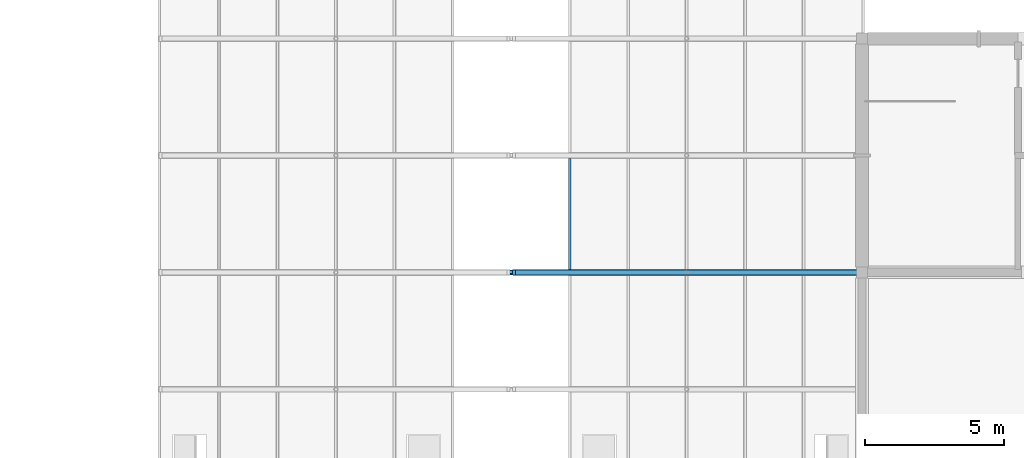
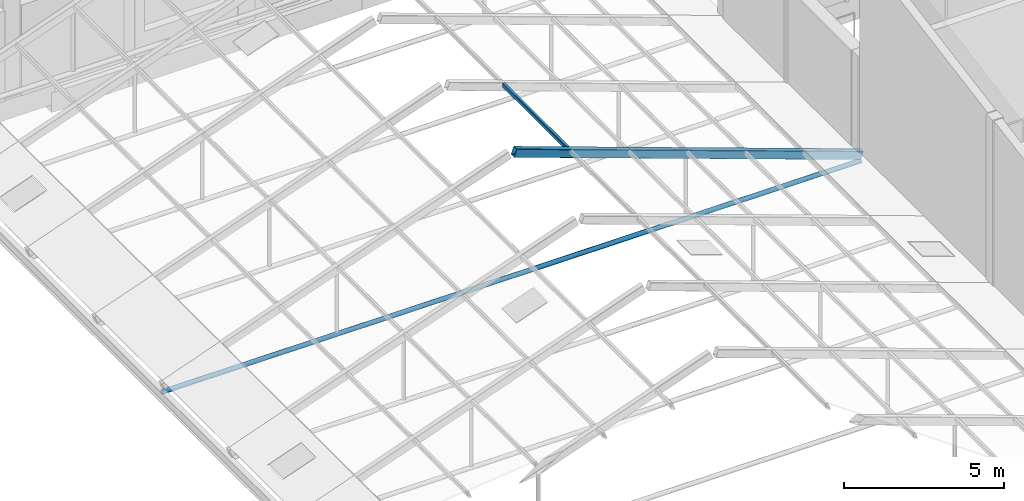
# One storey, part 60 of 116: 3 members.
"""IFC4 building model written with IfcOpenShell, lengths in metres."""

from ifc_helpers import new_model, si_unit, direction, frame, origin, origin_2d, place, context, subcontext, project, spatial, hollow_rectangle, hollow_circle, extrude, material, material_profile, profile_set, type_object, element, save


model = new_model("IFC4")

# Units and contexts
model_context = context("Model", 3, precision=1e-05, world=origin(), true_north=direction((0.0, 1.0)))
body_context = subcontext(model_context, "Body", "Model", "MODEL_VIEW")
ifc_project = project(units=[si_unit("LENGTHUNIT", "METRE"), si_unit("AREAUNIT", "SQUARE_METRE"), si_unit("VOLUMEUNIT", "CUBIC_METRE"), si_unit("PLANEANGLEUNIT", "RADIAN"), si_unit("MASSUNIT", "GRAM", prefix="KILO")], contexts=[model_context])

# Site, building, storey
site_placement = place(None, origin())
site = spatial("IfcSite", under=ifc_project, at=site_placement, CompositionType="ELEMENT")
building_placement = place(site_placement, origin())
building = spatial("IfcBuilding", under=site, at=building_placement, Name="Fescue Hill Polytechnic", CompositionType="ELEMENT")
storey_placement = place(building_placement, frame((0.0, 0.0, 13.5)))
storey = spatial("IfcBuildingStorey", under=building, at=storey_placement, Name="L03", CompositionType="ELEMENT", Elevation=13.5)

# Members
ifc_material = material(Name="Steel 350W (350 MPa)", Category="steel")
ifc_material_profile_1 = material_profile(ifc_material, hollow_rectangle(XDim=0.1015625, YDim=0.15234375, WallThickness=0.00634765625, InnerFilletRadius=0.00634765625, OuterFilletRadius=0.0126953125, at=origin_2d()), Name="Winter garden glazing purlin HSS 152x102x6.4")
ifc_profile_set_1 = profile_set([ifc_material_profile_1], Name="Steel 350W (350 MPa)")
member_type_1 = type_object("IfcMemberType", Name="Winter garden glazing purlin HSS 152x102x6.4", PredefinedType="PURLIN", material=ifc_profile_set_1)
member_1_placement = place(storey_placement, frame((107.100341796875, 92.501708984375, 4.414306640625), z_axis=(0.0, 1.0, 0.0), x_axis=(-1.0, 0.0, 0.0)))
element("IfcMember", 1, at=member_1_placement, inside=storey, type_object=member_type_1, Name="Winter garden glazing purlin E5 bay 11", PredefinedType="PURLIN", context=body_context, shape_type="SweptSolid", body=[
    extrude(hollow_rectangle(XDim=0.1015625, YDim=0.15234375, WallThickness=0.00634765625, InnerFilletRadius=0.00634765625, OuterFilletRadius=0.0126953125, at=origin_2d()), origin(), (0.0, 0.0, 1.0), 3.99658203125),
])
ifc_material_profile_2 = material_profile(ifc_material, hollow_rectangle(XDim=0.203125, YDim=0.3046875, WallThickness=0.009521484375, InnerFilletRadius=0.009521484375, OuterFilletRadius=0.01904296875, at=origin_2d()), Name="Winter garden rafter HSS 305x203x9.5")
ifc_profile_set_2 = profile_set([ifc_material_profile_2], Name="Steel 350W (350 MPa)")
member_type_2 = type_object("IfcMemberType", Name="Winter garden rafter HSS 305x203x9.5", PredefinedType="RAFTER", material=ifc_profile_set_2)
member_2_placement = place(storey_placement, frame((117.60009765625, 92.39990234375, 0.578857421875), z_axis=(-0.941740247025, 0.0, 0.336341057756), x_axis=(0.0, -1.0, 0.0)))
element("IfcMember", 2, at=member_2_placement, inside=storey, type_object=member_type_2, Name="Winter garden rafter E11", PredefinedType="RAFTER", context=body_context, shape_type="SweptSolid", body=[
    extrude(hollow_rectangle(XDim=0.203125, YDim=0.3046875, WallThickness=0.009521484375, InnerFilletRadius=0.009521484375, OuterFilletRadius=0.01904296875, at=origin_2d()), origin(), (0.0, 0.0, 1.0), 13.273193359375),
])
ifc_material_profile_3 = material_profile(ifc_material, hollow_circle(Radius=0.084228515625, WallThickness=0.009521484375, at=origin_2d()), Name="Winter garden tie CHS 168x9.5")
ifc_profile_set_3 = profile_set([ifc_material_profile_3], Name="Steel 350W (350 MPa)")
member_type_3 = type_object("IfcMemberType", Name="Winter garden tie CHS 168x9.5", PredefinedType="STRUT", material=ifc_profile_set_3)
member_3_placement = place(storey_placement, frame((92.39990234375, 92.39990234375, 0.332763671875), z_axis=(1.0, 0.0, 0.0), x_axis=(0.0, 1.0, 0.0)))
element("IfcMember", 3, at=member_3_placement, inside=storey, type_object=member_type_3, Name="Winter garden tie 11", PredefinedType="STRUT", context=body_context, shape_type="SweptSolid", body=[
    extrude(hollow_circle(Radius=0.084228515625, WallThickness=0.009521484375, at=origin_2d()), origin(), (0.0, 0.0, 1.0), 25.2001953125),
])

save(model, "model.ifc")
